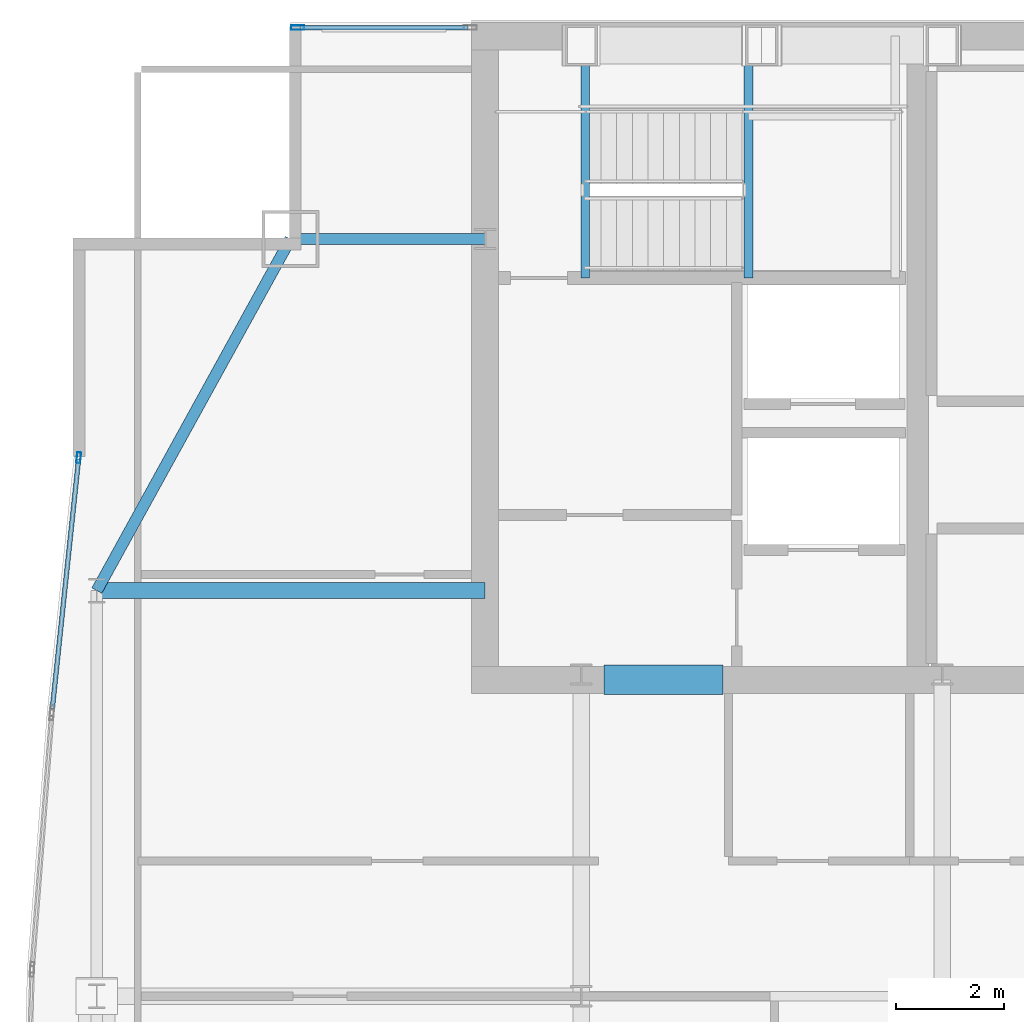
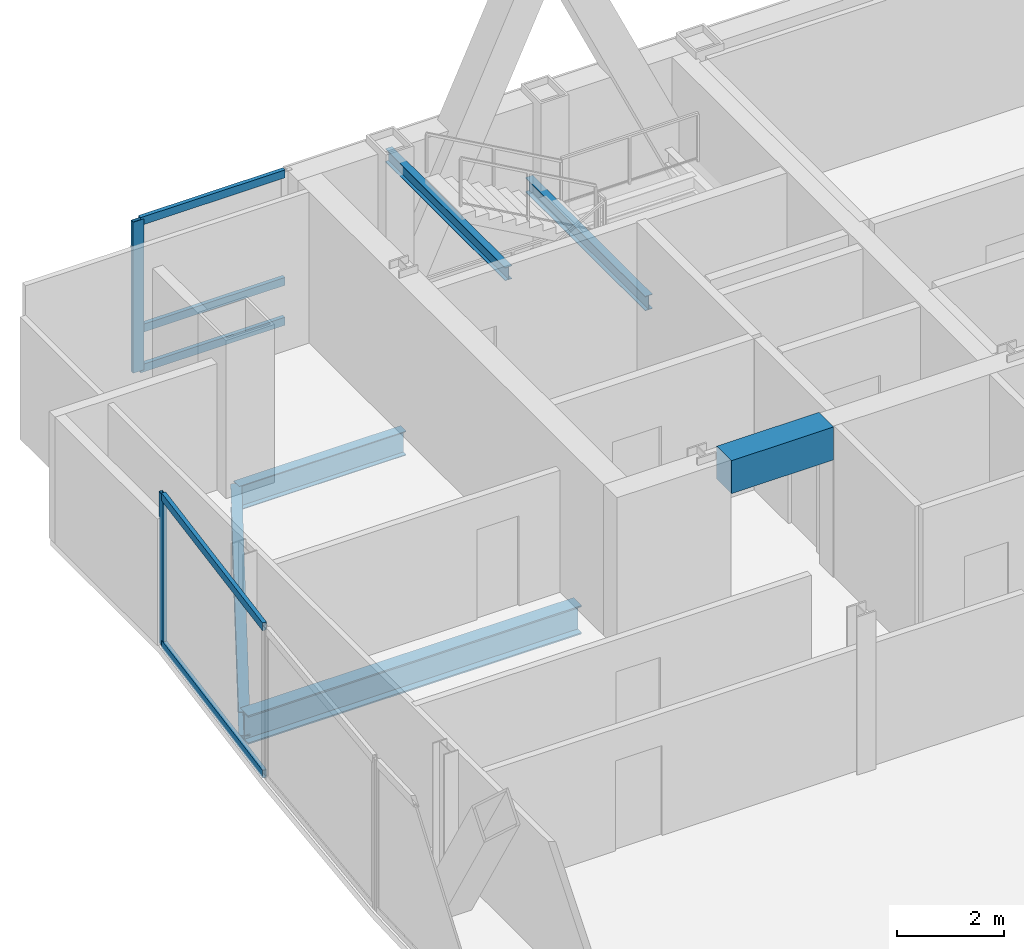
# One storey, part 20 of 30: 7 members, 6 beams, 2 elements without a shape of their own.
"""IFC4 building model written with IfcOpenShell, lengths in metres."""

from ifc_helpers import new_model, si_unit, direction, frame, origin, origin_2d, place, context, subcontext, project, spatial, rectangle, hollow_rectangle, i_section, extrude, material, material_profile, profile_set, type_object, element, aggregate, save


model = new_model("IFC4")

# Units and contexts
model_context = context("Model", 3, precision=1e-05, world=origin(), true_north=direction((0.0, 1.0)))
body_context = subcontext(model_context, "Body", "Model", "MODEL_VIEW")
ifc_project = project(units=[si_unit("LENGTHUNIT", "METRE"), si_unit("AREAUNIT", "SQUARE_METRE"), si_unit("VOLUMEUNIT", "CUBIC_METRE"), si_unit("PLANEANGLEUNIT", "RADIAN"), si_unit("MASSUNIT", "GRAM", prefix="KILO")], contexts=[model_context])

# Site, building, storey
site_placement = place(None, origin())
site = spatial("IfcSite", under=ifc_project, at=site_placement, CompositionType="ELEMENT")
building_placement = place(site_placement, origin())
building = spatial("IfcBuilding", under=site, at=building_placement, Name="Khoronbel Lancet Exchange", CompositionType="ELEMENT")
storey_placement = place(building_placement, frame((0.0, 0.0, 284.199951171875)))
storey = spatial("IfcBuildingStorey", under=building, at=storey_placement, Name="L73", CompositionType="ELEMENT", Elevation=284.199951171875)

# Beams
ifc_material_1 = material(Name="Steel S355", Category="steel")
ifc_material_profile_1 = material_profile(ifc_material_1, i_section(OverallWidth=0.300048828125, OverallDepth=0.64990234375, WebThickness=0.01611328125, FlangeThickness=0.031005859375, at=origin_2d()), Name="HEB 650")
ifc_profile_set_1 = profile_set([ifc_material_profile_1], Name="Steel S355")
beam_type_1 = type_object("IfcBeamType", Name="BM-BG4", PredefinedType="BEAM", material=ifc_profile_set_1)
beam_1_placement = place(storey_placement, frame((9.27001953125, 43.199951171875, -0.48486328125), z_axis=(1.0, 0.0, 0.0), x_axis=(0.0, 1.0, 0.0)))
element("IfcBeam", 1, at=beam_1_placement, inside=storey, type_object=beam_type_1, Name="Level L73 west lens tie girder LG3W", PredefinedType="BEAM", context=body_context, shape_type="SweptSolid", body=[
    extrude(i_section(OverallWidth=0.300048828125, OverallDepth=0.64990234375, WebThickness=0.01611328125, FlangeThickness=0.031005859375, at=origin_2d()), origin(), (0.0, 0.0, 1.0), 7.179931640625),
])
ifc_material_profile_2 = material_profile(ifc_material_1, i_section(OverallWidth=0.159912109375, OverallDepth=0.330078125, WebThickness=0.007568359375, FlangeThickness=0.011474609375, at=origin_2d()), Name="IPE 330")
ifc_profile_set_2 = profile_set([ifc_material_profile_2], Name="Steel S355")
beam_type_2 = type_object("IfcBeamType", Name="BM-BJ7", PredefinedType="JOIST", material=ifc_profile_set_2)
beam_2_placement = place(storey_placement, frame((21.320068359375, 48.97998046875, 1.43505859375), z_axis=(0.0, 1.0, 0.0), x_axis=(-1.0, 0.0, 0.0)))
element("IfcBeam", 2, at=beam_2_placement, inside=storey, type_object=beam_type_2, Name="Level L73 stair ST1 landing bearer beam 1", PredefinedType="JOIST", context=body_context, shape_type="SweptSolid", body=[
    extrude(i_section(OverallWidth=0.159912109375, OverallDepth=0.330078125, WebThickness=0.007568359375, FlangeThickness=0.011474609375, at=origin_2d()), origin(), (0.0, 0.0, 1.0), 4.469970703125),
])
ifc_material_profile_3 = material_profile(ifc_material_1, i_section(OverallWidth=0.14990234375, OverallDepth=0.300048828125, WebThickness=0.007080078125, FlangeThickness=0.0107421875, at=origin_2d()), Name="IPE 300")
ifc_profile_set_3 = profile_set([ifc_material_profile_3], Name="Steel S355")
beam_type_3 = type_object("IfcBeamType", Name="BM-BJ8", PredefinedType="JOIST", material=ifc_profile_set_3)
beam_3_placement = place(storey_placement, frame((18.300048828125, 48.97998046875, 3.16015625), z_axis=(0.0, 1.0, 0.0), x_axis=(-1.0, 0.0, 0.0)))
element("IfcBeam", 3, at=beam_3_placement, inside=storey, type_object=beam_type_3, Name="Level L73 stair ST1 upper-flight arrival trimmer beam", PredefinedType="JOIST", context=body_context, shape_type="SweptSolid", body=[
    extrude(i_section(OverallWidth=0.14990234375, OverallDepth=0.300048828125, WebThickness=0.007080078125, FlangeThickness=0.0107421875, at=origin_2d()), origin(), (0.0, 0.0, 1.0), 4.469970703125),
])
ifc_material_2 = material(Name="Concrete C60/75", Category="concrete")
ifc_material_profile_4 = material_profile(ifc_material_2, rectangle(XDim=0.550048828125, YDim=0.75, at=origin_2d()), Name="RC 550x750")
ifc_profile_set_4 = profile_set([ifc_material_profile_4], Name="Concrete C60/75")
beam_type_4 = type_object("IfcBeamType", Name="BM-BL2", PredefinedType="LINTEL", material=ifc_profile_set_4)
beam_4_placement = place(storey_placement, frame((18.64990234375, 41.550048828125, 3.06494140625), z_axis=(1.0, 0.0, 0.0), x_axis=(0.0, 1.0, 0.0)))
element("IfcBeam", 4, at=beam_4_placement, inside=storey, type_object=beam_type_4, Name="Level L73 rear core coupling lintel L1", PredefinedType="LINTEL", context=body_context, shape_type="SweptSolid", body=[
    extrude(rectangle(XDim=0.550048828125, YDim=0.75, at=origin_2d()), origin(), (0.0, 0.0, 1.0), 2.2001953125),
])
ifc_material_profile_5 = material_profile(ifc_material_1, i_section(OverallWidth=0.2099609375, OverallDepth=0.550048828125, WebThickness=0.010986328125, FlangeThickness=0.01708984375, at=origin_2d()), Name="IPE 550")
ifc_profile_set_5 = profile_set([ifc_material_profile_5], Name="Steel S355")
beam_type_5 = type_object("IfcBeamType", Name="BM-BSP3", PredefinedType="SPANDREL", material=ifc_profile_set_5)
beam_5_placement = place(storey_placement, frame((12.85009765625, 49.699951171875, -0.43505859375), z_axis=(-0.482444051088, -0.875926787791, 0.0), x_axis=(0.875926787791, -0.482444051088, 0.0)))
element("IfcBeam", 5, at=beam_5_placement, inside=storey, type_object=beam_type_5, Name="Level L73 perimeter spandrel beam SP16", PredefinedType="SPANDREL", context=body_context, shape_type="SweptSolid", body=[
    extrude(i_section(OverallWidth=0.2099609375, OverallDepth=0.550048828125, WebThickness=0.010986328125, FlangeThickness=0.01708984375, at=origin_2d()), origin(), (0.0, 0.0, 1.0), 7.420654296875),
])
beam_6_placement = place(storey_placement, frame((12.85009765625, 49.699951171875, -0.43505859375), z_axis=(1.0, 0.0, 0.0), x_axis=(0.0, 1.0, 0.0)))
element("IfcBeam", 6, at=beam_6_placement, inside=storey, type_object=beam_type_5, Name="Level L73 north flank tie spandrel SP22", PredefinedType="SPANDREL", context=body_context, shape_type="SweptSolid", body=[
    extrude(i_section(OverallWidth=0.2099609375, OverallDepth=0.550048828125, WebThickness=0.010986328125, FlangeThickness=0.01708984375, at=origin_2d()), origin(), (0.0, 0.0, 1.0), 3.599853515625),
])

# Curtain wall, member
ifc_material_3 = material(Name="Low-E Solar Control Insulating Glass", Category="glass")
curtain_wall_type_1 = type_object("IfcCurtainWallType", Name="CW-3", PredefinedType="NOTDEFINED", material=ifc_material_3)
curtain_wall_1_placement = place(storey_placement, origin())
curtain_wall_1 = element("IfcCurtainWall", 7, at=curtain_wall_1_placement, inside=storey, type_object=curtain_wall_type_1, Name="Unitised curtain wall CW-L73-NWFLK", PredefinedType="NOTDEFINED")
ifc_material_4 = material(Name="Bronze-Anodised Aluminium 6063-T6", Category="aluminium")
ifc_material_profile_6 = material_profile(ifc_material_4, hollow_rectangle(XDim=0.0849609375, YDim=0.239990234375, WallThickness=0.006103515625, at=origin_2d()), Name="ALU MULLION 85x240")
ifc_profile_set_6 = profile_set([ifc_material_profile_6], Name="Bronze-Anodised Aluminium 6063-T6")
member_type_1 = type_object("IfcMemberType", Name="MEM-CWM1", PredefinedType="MULLION", material=ifc_profile_set_6)
member_1_placement = place(storey_placement, frame((12.982421875, 53.610107421875, 0.0), z_axis=(0.0, 0.0, 1.0), x_axis=(0.0, -1.0, 0.0)))
member_1 = element("IfcMember", 8, at=member_1_placement, type_object=member_type_1, Name="CW3 mullion 2", PredefinedType="MULLION", context=body_context, shape_type="SweptSolid", body=[
    extrude(hollow_rectangle(XDim=0.0849609375, YDim=0.239990234375, WallThickness=0.006103515625, at=origin_2d()), origin(), (0.0, 0.0, 1.0), 3.43994140625),
])

# Curtain wall, members
curtain_wall_type_2 = type_object("IfcCurtainWallType", Name="CW-4", PredefinedType="NOTDEFINED", material=ifc_material_3)
curtain_wall_2_placement = place(storey_placement, origin())
curtain_wall_2 = element("IfcCurtainWall", 9, at=curtain_wall_2_placement, inside=storey, type_object=curtain_wall_type_2, Name="Unitised curtain wall CW-L73-E09", PredefinedType="NOTDEFINED")
ifc_material_profile_7 = material_profile(ifc_material_4, hollow_rectangle(XDim=0.074951171875, YDim=0.199951171875, WallThickness=0.0048828125, at=origin_2d()), Name="ALU MULLION 75x200")
ifc_profile_set_7 = profile_set([ifc_material_profile_7], Name="Bronze-Anodised Aluminium 6063-T6")
member_type_2 = type_object("IfcMemberType", Name="MEM-CWM2", PredefinedType="MULLION", material=ifc_profile_set_7)
member_2_placement = place(storey_placement, frame((8.93603515625, 45.657958984375, 0.0), z_axis=(0.0, 0.0, 1.0), x_axis=(-0.994504765069, 0.104691318907, 0.0)))
member_2 = element("IfcMember", 10, at=member_2_placement, type_object=member_type_2, Name="CW4 mullion 2", PredefinedType="MULLION", context=body_context, shape_type="SweptSolid", body=[
    extrude(hollow_rectangle(XDim=0.074951171875, YDim=0.199951171875, WallThickness=0.0048828125, at=origin_2d()), origin(), (0.0, 0.0, 1.0), 3.43994140625),
])
ifc_material_profile_8 = material_profile(ifc_material_4, hollow_rectangle(XDim=0.0849609375, YDim=0.179931640625, WallThickness=0.0048828125, at=origin_2d()), Name="ALU TRANSOM 85x180")
ifc_profile_set_8 = profile_set([ifc_material_profile_8], Name="Bronze-Anodised Aluminium 6063-T6")
member_type_3 = type_object("IfcMemberType", Name="MEM-CWT1", PredefinedType="USERDEFINED", material=ifc_profile_set_8)
member_3_placement = place(storey_placement, frame((8.447509765625, 41.016357421875, 0.04248046875), z_axis=(0.104676549377, 0.994506319744, 0.0), x_axis=(-0.994506319744, 0.104676549377, 0.0)))
member_3 = element("IfcMember", 11, at=member_3_placement, type_object=member_type_3, Name="CW4 transom 1.1", ObjectType="TRANSOM", PredefinedType="USERDEFINED", context=body_context, shape_type="SweptSolid", body=[
    extrude(hollow_rectangle(XDim=0.0849609375, YDim=0.179931640625, WallThickness=0.0048828125, at=origin_2d()), origin(), (0.0, 0.0, 1.0), 4.629638671875),
])
member_4_placement = place(storey_placement, frame((8.447509765625, 41.016357421875, 3.3974609375), z_axis=(0.104676549377, 0.994506319744, 0.0), x_axis=(-0.994506319744, 0.104676549377, 0.0)))
member_4 = element("IfcMember", 12, at=member_4_placement, type_object=member_type_3, Name="CW4 transom 1.2", ObjectType="TRANSOM", PredefinedType="USERDEFINED", context=body_context, shape_type="SweptSolid", body=[
    extrude(hollow_rectangle(XDim=0.0849609375, YDim=0.179931640625, WallThickness=0.0048828125, at=origin_2d()), origin(), (0.0, 0.0, 1.0), 4.629638671875),
])
aggregate(curtain_wall_2, [member_2, member_3, member_4])

# Member
member_5_placement = place(storey_placement, frame((16.135009765625, 53.610107421875, 0.04248046875), z_axis=(-1.0, 0.0, 0.0), x_axis=(0.0, -1.0, 0.0)))
member_5 = element("IfcMember", 13, at=member_5_placement, type_object=member_type_3, Name="CW3 transom 1.1", ObjectType="TRANSOM", PredefinedType="USERDEFINED", context=body_context, shape_type="SweptSolid", body=[
    extrude(hollow_rectangle(XDim=0.0849609375, YDim=0.179931640625, WallThickness=0.0048828125, at=origin_2d()), origin(), (0.0, 0.0, 1.0), 3.110107421875),
])

member_6_placement = place(storey_placement, frame((16.135009765625, 53.610107421875, 0.949951171875), z_axis=(-1.0, 0.0, 0.0), x_axis=(0.0, -1.0, 0.0)))
member_6 = element("IfcMember", 14, at=member_6_placement, type_object=member_type_3, Name="CW3 transom 1.2", ObjectType="TRANSOM", PredefinedType="USERDEFINED", context=body_context, shape_type="SweptSolid", body=[
    extrude(hollow_rectangle(XDim=0.0849609375, YDim=0.179931640625, WallThickness=0.0048828125, at=origin_2d()), origin(), (0.0, 0.0, 1.0), 3.110107421875),
])

member_7_placement = place(storey_placement, frame((16.135009765625, 53.610107421875, 3.3974609375), z_axis=(-1.0, 0.0, 0.0), x_axis=(0.0, -1.0, 0.0)))
member_7 = element("IfcMember", 15, at=member_7_placement, type_object=member_type_3, Name="CW3 transom 1.3", ObjectType="TRANSOM", PredefinedType="USERDEFINED", context=body_context, shape_type="SweptSolid", body=[
    extrude(hollow_rectangle(XDim=0.0849609375, YDim=0.179931640625, WallThickness=0.0048828125, at=origin_2d()), origin(), (0.0, 0.0, 1.0), 3.110107421875),
])

aggregate(curtain_wall_1, [member_1, member_5, member_6, member_7])

save(model, "model.ifc")
